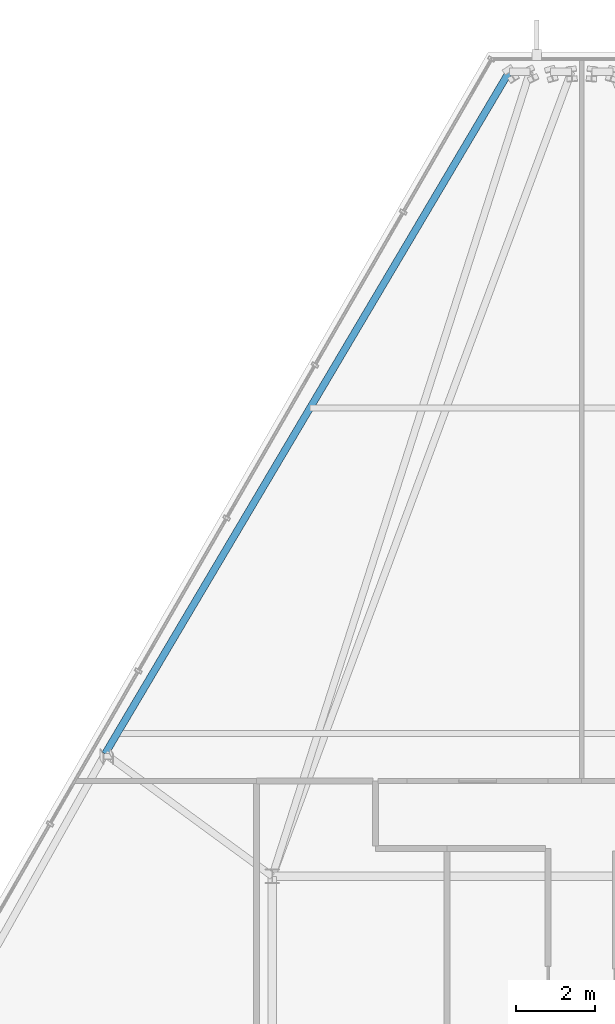
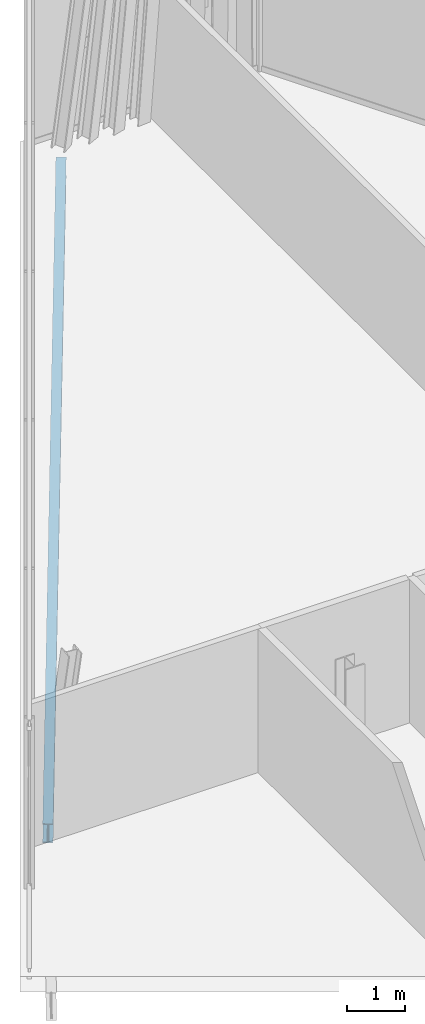
# One storey, part 14 of 32: 1 beam.
"""IFC4 building model written with IfcOpenShell, lengths in metres."""

from ifc_helpers import new_model, si_unit, direction, frame, origin, origin_2d, place, context, subcontext, project, spatial, i_section, extrude, material, material_profile, profile_set, type_object, element, save


model = new_model("IFC4")

# Units and contexts
model_context = context("Model", 3, precision=1e-05, world=origin(), true_north=direction((0.0, 1.0)))
body_context = subcontext(model_context, "Body", "Model", "MODEL_VIEW")
ifc_project = project(units=[si_unit("LENGTHUNIT", "METRE"), si_unit("AREAUNIT", "SQUARE_METRE"), si_unit("VOLUMEUNIT", "CUBIC_METRE"), si_unit("PLANEANGLEUNIT", "RADIAN"), si_unit("MASSUNIT", "GRAM", prefix="KILO")], contexts=[model_context])

# Site, building, storey
site_placement = place(None, origin())
site = spatial("IfcSite", under=ifc_project, at=site_placement, CompositionType="ELEMENT")
building_placement = place(site_placement, origin())
building = spatial("IfcBuilding", under=site, at=building_placement, Name="Ndaravel Arena Tower", CompositionType="ELEMENT")
storey_placement = place(building_placement, frame((0.0, 0.0, 290.89990234375)))
storey = spatial("IfcBuildingStorey", under=building, at=storey_placement, Name="L71", CompositionType="ELEMENT", Elevation=290.89990234375)

# Beam
ifc_material = material(Name="Steel S355", Category="steel")
ifc_material_profile = material_profile(ifc_material, i_section(OverallWidth=0.179931640625, OverallDepth=0.39990234375, WebThickness=0.008544921875, FlangeThickness=0.013427734375, FilletRadius=0.02099609375, at=origin_2d()), Name="IPE 400")
ifc_profile_set = profile_set([ifc_material_profile], Name="Steel S355")
beam_type = type_object("IfcBeamType", Name="BM-SPAN-IPE400", PredefinedType="SPANDREL", material=ifc_profile_set)
beam_placement = place(storey_placement, frame((40.17333984375, 43.477783203125, -0.419921875), z_axis=(-0.509758851442, -0.860317332952, 0.0), x_axis=(0.860317332952, -0.509758851442, 0.0)))
element("IfcBeam", 1, at=beam_placement, inside=storey, type_object=beam_type, Name="L71 Perimeter Spandrel Beam SP-18", PredefinedType="SPANDREL", context=body_context, shape_type="SweptSolid", body=[
    extrude(i_section(OverallWidth=0.179931640625, OverallDepth=0.39990234375, WebThickness=0.008544921875, FlangeThickness=0.013427734375, FilletRadius=0.02099609375, at=origin_2d()), origin(), (0.0, 0.0, 1.0), 19.982177734375),
])

save(model, "model.ifc")
